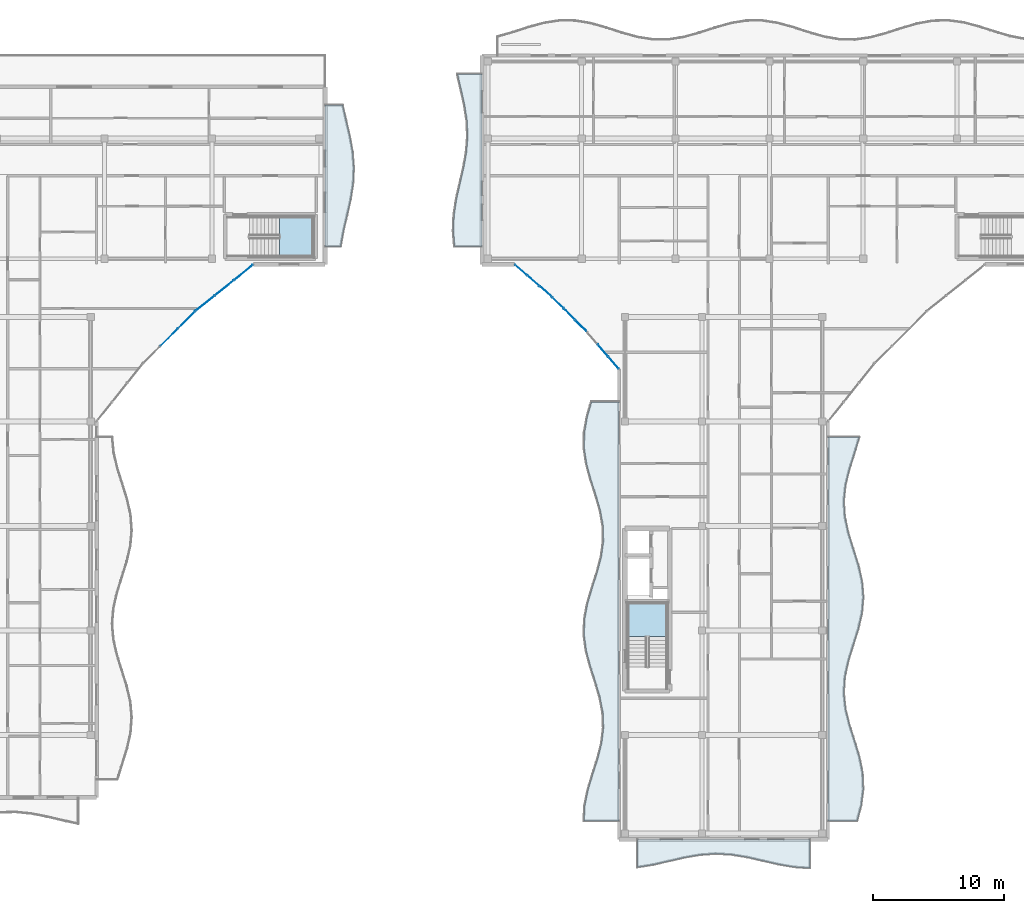
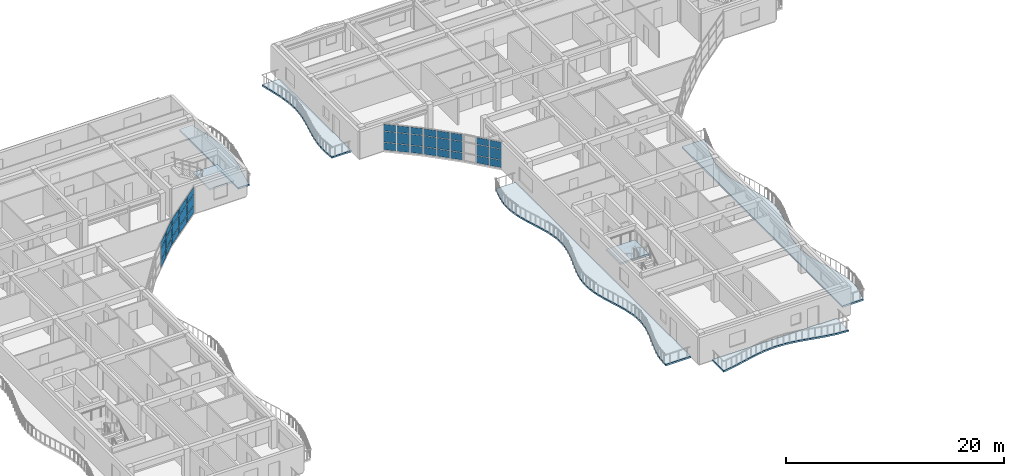
# One storey, part 25 of 68: 39 plates, 7 slabs, 7 elements without a shape of their own.
"""IFC4 building model written with IfcOpenShell, lengths in metres."""

from ifc_helpers import new_model, si_unit, direction, frame, origin, origin_2d, place, context, subcontext, project, spatial, polyline, rectangle, outline, extrude, material, layer, layer_set, type_object, element, aggregate, save


model = new_model("IFC4")

# Units and contexts
model_context = context("Model", 3, precision=1e-05, world=origin(), true_north=direction((0.0, 1.0)))
body_context = subcontext(model_context, "Body", "Model", "MODEL_VIEW")
ifc_project = project(units=[si_unit("LENGTHUNIT", "METRE"), si_unit("AREAUNIT", "SQUARE_METRE"), si_unit("VOLUMEUNIT", "CUBIC_METRE"), si_unit("PLANEANGLEUNIT", "RADIAN"), si_unit("MASSUNIT", "GRAM", prefix="KILO")], contexts=[model_context])

# Site, building, storey
site_placement = place(None, origin())
site = spatial("IfcSite", under=ifc_project, at=site_placement, CompositionType="ELEMENT")
building_placement = place(site_placement, origin())
building = spatial("IfcBuilding", under=site, at=building_placement, Name="Keldmere Railside Commons", CompositionType="ELEMENT")
storey_placement = place(building_placement, frame((0.0, 0.0, 23.360107421875)))
storey = spatial("IfcBuildingStorey", under=building, at=storey_placement, Name="L07", CompositionType="ELEMENT", Elevation=23.360107421875)

# Stair, slab
ifc_material_1 = material(Name="Concrete H-30 (C30/37)", Category="concrete")
stair_type_1 = type_object("IfcStairType", Name="Residential Core Dogleg Stair 1450", PredefinedType="HALF_TURN_STAIR", material=ifc_material_1)
stair_1_placement = place(storey_placement, origin())
stair_1 = element("IfcStair", 1, at=stair_1_placement, inside=storey, type_object=stair_type_1, Name="L07 Block C Secondary Escape Stair 2", PredefinedType="HALF_TURN_STAIR")
ifc_layer_1 = layer(ifc_material_1, 0.199951171875, Name="Enclosed Stair Landing Slab 200")
ifc_layer_set_1 = layer_set([ifc_layer_1], Name="Concrete H-30 (C30/37)")
slab_type_1 = type_object("IfcSlabType", Name="Enclosed Stair Landing Slab 200", PredefinedType="LANDING", material=ifc_layer_set_1)
slab_1_placement = place(storey_placement, frame((0.0, 0.0, 1.39990234375)))
slab_1 = element("IfcSlab", 2, at=slab_1_placement, type_object=slab_type_1, Name="ST-C2 landing 1", PredefinedType="LANDING", context=body_context, shape_type="SweptSolid", body=[
    extrude(outline(polyline([(78.02001953125, 100.60009765625), (80.60009765625, 100.60009765625), (80.60009765625, 103.64990234375), (78.02001953125, 103.64990234375), (78.02001953125, 100.60009765625)])), origin(), (0.0, 0.0, 1.0), 0.199951171875),
])
aggregate(stair_1, [slab_1])

stair_type_2 = type_object("IfcStairType", Name="Basement Garage Dogleg Escape Stair 1450", PredefinedType="HALF_TURN_STAIR", material=ifc_material_1)
stair_2_placement = place(storey_placement, origin())
stair_2 = element("IfcStair", 3, at=stair_2_placement, inside=storey, type_object=stair_type_2, Name="L07 Block B Primary Escape Stair 1", PredefinedType="HALF_TURN_STAIR")
slab_2_placement = place(storey_placement, frame((0.0, 0.0, 1.39990234375)))
slab_2 = element("IfcSlab", 4, at=slab_2_placement, type_object=slab_type_1, Name="ST-B1 landing 1", PredefinedType="LANDING", context=body_context, shape_type="SweptSolid", body=[
    extrude(outline(polyline([(107.699951171875, 71.52001953125), (107.699951171875, 74.10009765625), (104.64990234375, 74.10009765625), (104.64990234375, 71.52001953125), (107.699951171875, 71.52001953125)])), origin(), (0.0, 0.0, 1.0), 0.199951171875),
])
aggregate(stair_2, [slab_2])

# Curtain wall, plates
ifc_material_2 = material(Name="Thermally Broken Aluminium", Category="aluminium")
ifc_layer_2 = layer(ifc_material_2, 0.159912109375, Name="Court Chord Wintergarden CW 5400x2850")
ifc_layer_set_2 = layer_set([ifc_layer_2], Name="Thermally Broken Aluminium")
curtain_wall_type_1 = type_object("IfcCurtainWallType", Name="Court Chord Wintergarden CW 5400x2850", PredefinedType="NOTDEFINED", material=ifc_layer_set_2)
curtain_wall_1_placement = place(storey_placement, origin())
curtain_wall_1 = element("IfcCurtainWall", 5, at=curtain_wall_1_placement, inside=storey, type_object=curtain_wall_type_1, Name="CW-13 CW-L07-068", PredefinedType="NOTDEFINED")
ifc_material_3 = material(Name="Insulated Aluminium Spandrel Panel", Category="aluminium")
ifc_layer_3 = layer(ifc_material_3, 0.0439453125, Name="Insulated Ocher Spandrel Panel 44")
ifc_layer_set_3 = layer_set([ifc_layer_3], Name="Insulated Aluminium Spandrel Panel")
plate_type_1 = type_object("IfcPlateType", Name="Insulated Ocher Spandrel Panel 44", PredefinedType="CURTAIN_PANEL", material=ifc_layer_set_3)
plate_1_placement = place(storey_placement, frame((70.88916015625, 95.76513671875, 0.06494140625), z_axis=(0.0, 0.0, 1.0), x_axis=(-0.707106781187, -0.707106781187, 0.0)))
plate_1 = element("IfcPlate", 6, at=plate_1_placement, type_object=plate_type_1, Name="CW-13 panel 1.1", PredefinedType="CURTAIN_PANEL", context=body_context, shape_type="SweptSolid", body=[
    extrude(rectangle(XDim=1.795654296875, YDim=0.0439453125, at=origin_2d()), origin(), (0.0, 0.0, 1.0), 0.802490234375),
])
plate_2_placement = place(storey_placement, frame((70.88916015625, 95.76513671875, 0.932373046875), z_axis=(0.0, 0.0, 1.0), x_axis=(-0.707106781187, -0.707106781187, 0.0)))
plate_2 = element("IfcPlate", 7, at=plate_2_placement, type_object=plate_type_1, Name="CW-13 panel 1.2", PredefinedType="CURTAIN_PANEL", context=body_context, shape_type="SweptSolid", body=[
    extrude(rectangle(XDim=1.795654296875, YDim=0.0439453125, at=origin_2d()), origin(), (0.0, 0.0, 1.0), 1.18505859375),
])
plate_3_placement = place(storey_placement, frame((70.88916015625, 95.76513671875, 2.182373046875), z_axis=(0.0, 0.0, 1.0), x_axis=(-0.707106781187, -0.707106781187, 0.0)))
plate_3 = element("IfcPlate", 8, at=plate_3_placement, type_object=plate_type_1, Name="CW-13 panel 1.3", PredefinedType="CURTAIN_PANEL", context=body_context, shape_type="SweptSolid", body=[
    extrude(rectangle(XDim=1.795654296875, YDim=0.0439453125, at=origin_2d()), origin(), (0.0, 0.0, 1.0), 0.732421875),
])
plate_4_placement = place(storey_placement, frame((69.56201171875, 94.43798828125, 0.06494140625), z_axis=(0.0, 0.0, 1.0), x_axis=(-0.707106781187, -0.707106781187, 0.0)))
plate_4 = element("IfcPlate", 9, at=plate_4_placement, type_object=plate_type_1, Name="CW-13 panel 2.1", PredefinedType="CURTAIN_PANEL", context=body_context, shape_type="SweptSolid", body=[
    extrude(rectangle(XDim=1.828125, YDim=0.0439453125, at=origin_2d()), origin(), (0.0, 0.0, 1.0), 0.802490234375),
])
plate_5_placement = place(storey_placement, frame((69.56201171875, 94.43798828125, 0.932373046875), z_axis=(0.0, 0.0, 1.0), x_axis=(-0.707106781187, -0.707106781187, 0.0)))
plate_5 = element("IfcPlate", 10, at=plate_5_placement, type_object=plate_type_1, Name="CW-13 panel 2.2", PredefinedType="CURTAIN_PANEL", context=body_context, shape_type="SweptSolid", body=[
    extrude(rectangle(XDim=1.828125, YDim=0.0439453125, at=origin_2d()), origin(), (0.0, 0.0, 1.0), 1.18505859375),
])
plate_6_placement = place(storey_placement, frame((69.56201171875, 94.43798828125, 2.182373046875), z_axis=(0.0, 0.0, 1.0), x_axis=(-0.707106781187, -0.707106781187, 0.0)))
plate_6 = element("IfcPlate", 11, at=plate_6_placement, type_object=plate_type_1, Name="CW-13 panel 2.3", PredefinedType="CURTAIN_PANEL", context=body_context, shape_type="SweptSolid", body=[
    extrude(rectangle(XDim=1.828125, YDim=0.0439453125, at=origin_2d()), origin(), (0.0, 0.0, 1.0), 0.732421875),
])
aggregate(curtain_wall_1, [plate_1, plate_2, plate_3, plate_4, plate_5, plate_6])

ifc_layer_4 = layer(ifc_material_2, 0.159912109375, Name="Court Chord Wintergarden CW 4800x2850")
ifc_layer_set_4 = layer_set([ifc_layer_4], Name="Thermally Broken Aluminium")
curtain_wall_type_2 = type_object("IfcCurtainWallType", Name="Court Chord Wintergarden CW 4800x2850", PredefinedType="NOTDEFINED", material=ifc_layer_set_4)
curtain_wall_2_placement = place(storey_placement, origin())
curtain_wall_2 = element("IfcCurtainWall", 12, at=curtain_wall_2_placement, inside=storey, type_object=curtain_wall_type_2, Name="CW-12 CW-L07-130", PredefinedType="NOTDEFINED")
plate_7_placement = place(storey_placement, frame((98.369384765625, 97.952392578125, 0.06494140625), z_axis=(0.0, 0.0, 1.0), x_axis=(-0.756596767584, 0.653881741053, 0.0)))
plate_7 = element("IfcPlate", 13, at=plate_7_placement, type_object=plate_type_1, Name="CW-12 panel 1.1", PredefinedType="CURTAIN_PANEL", context=body_context, shape_type="SweptSolid", body=[
    extrude(rectangle(XDim=1.16162109375, YDim=0.0439453125, at=origin_2d()), origin(), (0.0, 0.0, 1.0), 0.802490234375),
])
plate_8_placement = place(storey_placement, frame((98.369384765625, 97.952392578125, 0.932373046875), z_axis=(0.0, 0.0, 1.0), x_axis=(-0.756596767584, 0.653881741053, 0.0)))
plate_8 = element("IfcPlate", 14, at=plate_8_placement, type_object=plate_type_1, Name="CW-12 panel 1.2", PredefinedType="CURTAIN_PANEL", context=body_context, shape_type="SweptSolid", body=[
    extrude(rectangle(XDim=1.16162109375, YDim=0.0439453125, at=origin_2d()), origin(), (0.0, 0.0, 1.0), 1.18505859375),
])
plate_9_placement = place(storey_placement, frame((98.369384765625, 97.952392578125, 2.182373046875), z_axis=(0.0, 0.0, 1.0), x_axis=(-0.756596767584, 0.653881741053, 0.0)))
plate_9 = element("IfcPlate", 15, at=plate_9_placement, type_object=plate_type_1, Name="CW-12 panel 1.3", PredefinedType="CURTAIN_PANEL", context=body_context, shape_type="SweptSolid", body=[
    extrude(rectangle(XDim=1.16162109375, YDim=0.0439453125, at=origin_2d()), origin(), (0.0, 0.0, 1.0), 0.732421875),
])
plate_10_placement = place(storey_placement, frame((97.428955078125, 98.764892578125, 0.06494140625), z_axis=(0.0, 0.0, 1.0), x_axis=(-0.756596767584, 0.653881741053, 0.0)))
plate_10 = element("IfcPlate", 16, at=plate_10_placement, type_object=plate_type_1, Name="CW-12 panel 2.1", PredefinedType="CURTAIN_PANEL", context=body_context, shape_type="SweptSolid", body=[
    extrude(rectangle(XDim=1.194091796875, YDim=0.0439453125, at=origin_2d()), origin(), (0.0, 0.0, 1.0), 0.802490234375),
])
plate_11_placement = place(storey_placement, frame((97.428955078125, 98.764892578125, 0.932373046875), z_axis=(0.0, 0.0, 1.0), x_axis=(-0.756596767584, 0.653881741053, 0.0)))
plate_11 = element("IfcPlate", 17, at=plate_11_placement, type_object=plate_type_1, Name="CW-12 panel 2.2", PredefinedType="CURTAIN_PANEL", context=body_context, shape_type="SweptSolid", body=[
    extrude(rectangle(XDim=1.194091796875, YDim=0.0439453125, at=origin_2d()), origin(), (0.0, 0.0, 1.0), 1.18505859375),
])
plate_12_placement = place(storey_placement, frame((97.428955078125, 98.764892578125, 2.182373046875), z_axis=(0.0, 0.0, 1.0), x_axis=(-0.756596767584, 0.653881741053, 0.0)))
plate_12 = element("IfcPlate", 18, at=plate_12_placement, type_object=plate_type_1, Name="CW-12 panel 2.3", PredefinedType="CURTAIN_PANEL", context=body_context, shape_type="SweptSolid", body=[
    extrude(rectangle(XDim=1.194091796875, YDim=0.0439453125, at=origin_2d()), origin(), (0.0, 0.0, 1.0), 0.732421875),
])
plate_13_placement = place(storey_placement, frame((96.488525390625, 99.57763671875, 0.06494140625), z_axis=(0.0, 0.0, 1.0), x_axis=(-0.756596767584, 0.653881741053, 0.0)))
plate_13 = element("IfcPlate", 19, at=plate_13_placement, type_object=plate_type_1, Name="CW-12 panel 3.1", PredefinedType="CURTAIN_PANEL", context=body_context, shape_type="SweptSolid", body=[
    extrude(rectangle(XDim=1.16162109375, YDim=0.0439453125, at=origin_2d()), origin(), (0.0, 0.0, 1.0), 0.802490234375),
])
plate_14_placement = place(storey_placement, frame((96.488525390625, 99.57763671875, 0.932373046875), z_axis=(0.0, 0.0, 1.0), x_axis=(-0.756596767584, 0.653881741053, 0.0)))
plate_14 = element("IfcPlate", 20, at=plate_14_placement, type_object=plate_type_1, Name="CW-12 panel 3.2", PredefinedType="CURTAIN_PANEL", context=body_context, shape_type="SweptSolid", body=[
    extrude(rectangle(XDim=1.16162109375, YDim=0.0439453125, at=origin_2d()), origin(), (0.0, 0.0, 1.0), 1.18505859375),
])
plate_15_placement = place(storey_placement, frame((96.488525390625, 99.57763671875, 2.182373046875), z_axis=(0.0, 0.0, 1.0), x_axis=(-0.756596767584, 0.653881741053, 0.0)))
plate_15 = element("IfcPlate", 21, at=plate_15_placement, type_object=plate_type_1, Name="CW-12 panel 3.3", PredefinedType="CURTAIN_PANEL", context=body_context, shape_type="SweptSolid", body=[
    extrude(rectangle(XDim=1.16162109375, YDim=0.0439453125, at=origin_2d()), origin(), (0.0, 0.0, 1.0), 0.732421875),
])
aggregate(curtain_wall_2, [plate_7, plate_8, plate_9, plate_10, plate_11, plate_12, plate_13, plate_14, plate_15])

curtain_wall_3_placement = place(storey_placement, origin())
curtain_wall_3 = element("IfcCurtainWall", 22, at=curtain_wall_3_placement, inside=storey, type_object=curtain_wall_type_2, Name="CW-12 CW-L07-132", PredefinedType="NOTDEFINED")
plate_16_placement = place(storey_placement, frame((103.57763671875, 92.488525390625, 0.06494140625), z_axis=(0.0, 0.0, 1.0), x_axis=(-0.653881741053, 0.756596767584, 0.0)))
plate_16 = element("IfcPlate", 23, at=plate_16_placement, type_object=plate_type_1, Name="CW-12 panel 1.1", PredefinedType="CURTAIN_PANEL", context=body_context, shape_type="SweptSolid", body=[
    extrude(rectangle(XDim=1.16162109375, YDim=0.0439453125, at=origin_2d()), origin(), (0.0, 0.0, 1.0), 0.802490234375),
])
plate_17_placement = place(storey_placement, frame((103.57763671875, 92.488525390625, 0.932373046875), z_axis=(0.0, 0.0, 1.0), x_axis=(-0.653881741053, 0.756596767584, 0.0)))
plate_17 = element("IfcPlate", 24, at=plate_17_placement, type_object=plate_type_1, Name="CW-12 panel 1.2", PredefinedType="CURTAIN_PANEL", context=body_context, shape_type="SweptSolid", body=[
    extrude(rectangle(XDim=1.16162109375, YDim=0.0439453125, at=origin_2d()), origin(), (0.0, 0.0, 1.0), 1.18505859375),
])
plate_18_placement = place(storey_placement, frame((103.57763671875, 92.488525390625, 2.182373046875), z_axis=(0.0, 0.0, 1.0), x_axis=(-0.653881741053, 0.756596767584, 0.0)))
plate_18 = element("IfcPlate", 25, at=plate_18_placement, type_object=plate_type_1, Name="CW-12 panel 1.3", PredefinedType="CURTAIN_PANEL", context=body_context, shape_type="SweptSolid", body=[
    extrude(rectangle(XDim=1.16162109375, YDim=0.0439453125, at=origin_2d()), origin(), (0.0, 0.0, 1.0), 0.732421875),
])
plate_19_placement = place(storey_placement, frame((102.764892578125, 93.428955078125, 0.06494140625), z_axis=(0.0, 0.0, 1.0), x_axis=(-0.653881741053, 0.756596767584, 0.0)))
plate_19 = element("IfcPlate", 26, at=plate_19_placement, type_object=plate_type_1, Name="CW-12 panel 2.1", PredefinedType="CURTAIN_PANEL", context=body_context, shape_type="SweptSolid", body=[
    extrude(rectangle(XDim=1.194091796875, YDim=0.0439453125, at=origin_2d()), origin(), (0.0, 0.0, 1.0), 0.802490234375),
])
plate_20_placement = place(storey_placement, frame((102.764892578125, 93.428955078125, 0.932373046875), z_axis=(0.0, 0.0, 1.0), x_axis=(-0.653881741053, 0.756596767584, 0.0)))
plate_20 = element("IfcPlate", 27, at=plate_20_placement, type_object=plate_type_1, Name="CW-12 panel 2.2", PredefinedType="CURTAIN_PANEL", context=body_context, shape_type="SweptSolid", body=[
    extrude(rectangle(XDim=1.194091796875, YDim=0.0439453125, at=origin_2d()), origin(), (0.0, 0.0, 1.0), 1.18505859375),
])
plate_21_placement = place(storey_placement, frame((102.764892578125, 93.428955078125, 2.182373046875), z_axis=(0.0, 0.0, 1.0), x_axis=(-0.653881741053, 0.756596767584, 0.0)))
plate_21 = element("IfcPlate", 28, at=plate_21_placement, type_object=plate_type_1, Name="CW-12 panel 2.3", PredefinedType="CURTAIN_PANEL", context=body_context, shape_type="SweptSolid", body=[
    extrude(rectangle(XDim=1.194091796875, YDim=0.0439453125, at=origin_2d()), origin(), (0.0, 0.0, 1.0), 0.732421875),
])
aggregate(curtain_wall_3, [plate_16, plate_17, plate_18, plate_19, plate_20, plate_21])

curtain_wall_4_placement = place(storey_placement, origin())
curtain_wall_4 = element("IfcCurtainWall", 29, at=curtain_wall_4_placement, inside=storey, type_object=curtain_wall_type_2, Name="CW-12 CW-L07-069", PredefinedType="NOTDEFINED")
ifc_layer_5 = layer(ifc_material_3, 0.050048828125, Name="Insulated Terracotta Spandrel Panel 50")
ifc_layer_set_5 = layer_set([ifc_layer_5], Name="Insulated Aluminium Spandrel Panel")
plate_type_2 = type_object("IfcPlateType", Name="Insulated Terracotta Spandrel Panel 50", PredefinedType="CURTAIN_PANEL", material=ifc_layer_set_5)
plate_22_placement = place(storey_placement, frame((75.2490234375, 99.3974609375, 0.06494140625), z_axis=(0.0, 0.0, 1.0), x_axis=(-0.780009172323, -0.625768080915, 0.0)))
plate_22 = element("IfcPlate", 30, at=plate_22_placement, type_object=plate_type_2, Name="CW-12 panel 1.1", PredefinedType="CURTAIN_PANEL", context=body_context, shape_type="SweptSolid", body=[
    extrude(rectangle(XDim=1.795654296875, YDim=0.050048828125, at=origin_2d()), origin(), (0.0, 0.0, 1.0), 0.802490234375),
])
plate_23_placement = place(storey_placement, frame((75.2490234375, 99.3974609375, 0.932373046875), z_axis=(0.0, 0.0, 1.0), x_axis=(-0.780009172323, -0.625768080915, 0.0)))
plate_23 = element("IfcPlate", 31, at=plate_23_placement, type_object=plate_type_2, Name="CW-12 panel 1.2", PredefinedType="CURTAIN_PANEL", context=body_context, shape_type="SweptSolid", body=[
    extrude(rectangle(XDim=1.795654296875, YDim=0.050048828125, at=origin_2d()), origin(), (0.0, 0.0, 1.0), 1.18505859375),
])
plate_24_placement = place(storey_placement, frame((75.2490234375, 99.3974609375, 2.182373046875), z_axis=(0.0, 0.0, 1.0), x_axis=(-0.780009172323, -0.625768080915, 0.0)))
plate_24 = element("IfcPlate", 32, at=plate_24_placement, type_object=plate_type_2, Name="CW-12 panel 1.3", PredefinedType="CURTAIN_PANEL", context=body_context, shape_type="SweptSolid", body=[
    extrude(rectangle(XDim=1.795654296875, YDim=0.050048828125, at=origin_2d()), origin(), (0.0, 0.0, 1.0), 0.732421875),
])
plate_25_placement = place(storey_placement, frame((73.784912109375, 98.222900390625, 0.06494140625), z_axis=(0.0, 0.0, 1.0), x_axis=(-0.780009172323, -0.625768080915, 0.0)))
plate_25 = element("IfcPlate", 33, at=plate_25_placement, type_object=plate_type_2, Name="CW-12 panel 2.1", PredefinedType="CURTAIN_PANEL", context=body_context, shape_type="SweptSolid", body=[
    extrude(rectangle(XDim=1.828125, YDim=0.050048828125, at=origin_2d()), origin(), (0.0, 0.0, 1.0), 0.802490234375),
])
plate_26_placement = place(storey_placement, frame((73.784912109375, 98.222900390625, 0.932373046875), z_axis=(0.0, 0.0, 1.0), x_axis=(-0.780009172323, -0.625768080915, 0.0)))
plate_26 = element("IfcPlate", 34, at=plate_26_placement, type_object=plate_type_2, Name="CW-12 panel 2.2", PredefinedType="CURTAIN_PANEL", context=body_context, shape_type="SweptSolid", body=[
    extrude(rectangle(XDim=1.828125, YDim=0.050048828125, at=origin_2d()), origin(), (0.0, 0.0, 1.0), 1.18505859375),
])
plate_27_placement = place(storey_placement, frame((73.784912109375, 98.222900390625, 2.182373046875), z_axis=(0.0, 0.0, 1.0), x_axis=(-0.780009172323, -0.625768080915, 0.0)))
plate_27 = element("IfcPlate", 35, at=plate_27_placement, type_object=plate_type_2, Name="CW-12 panel 2.3", PredefinedType="CURTAIN_PANEL", context=body_context, shape_type="SweptSolid", body=[
    extrude(rectangle(XDim=1.828125, YDim=0.050048828125, at=origin_2d()), origin(), (0.0, 0.0, 1.0), 0.732421875),
])
plate_28_placement = place(storey_placement, frame((72.321044921875, 97.048583984375, 0.06494140625), z_axis=(0.0, 0.0, 1.0), x_axis=(-0.780009172323, -0.625768080915, 0.0)))
plate_28 = element("IfcPlate", 36, at=plate_28_placement, type_object=plate_type_2, Name="CW-12 panel 3.1", PredefinedType="CURTAIN_PANEL", context=body_context, shape_type="SweptSolid", body=[
    extrude(rectangle(XDim=1.795654296875, YDim=0.050048828125, at=origin_2d()), origin(), (0.0, 0.0, 1.0), 0.802490234375),
])
plate_29_placement = place(storey_placement, frame((72.321044921875, 97.048583984375, 0.932373046875), z_axis=(0.0, 0.0, 1.0), x_axis=(-0.780009172323, -0.625768080915, 0.0)))
plate_29 = element("IfcPlate", 37, at=plate_29_placement, type_object=plate_type_2, Name="CW-12 panel 3.2", PredefinedType="CURTAIN_PANEL", context=body_context, shape_type="SweptSolid", body=[
    extrude(rectangle(XDim=1.795654296875, YDim=0.050048828125, at=origin_2d()), origin(), (0.0, 0.0, 1.0), 1.18505859375),
])
plate_30_placement = place(storey_placement, frame((72.321044921875, 97.048583984375, 2.182373046875), z_axis=(0.0, 0.0, 1.0), x_axis=(-0.780009172323, -0.625768080915, 0.0)))
plate_30 = element("IfcPlate", 38, at=plate_30_placement, type_object=plate_type_2, Name="CW-12 panel 3.3", PredefinedType="CURTAIN_PANEL", context=body_context, shape_type="SweptSolid", body=[
    extrude(rectangle(XDim=1.795654296875, YDim=0.050048828125, at=origin_2d()), origin(), (0.0, 0.0, 1.0), 0.732421875),
])
aggregate(curtain_wall_4, [plate_22, plate_23, plate_24, plate_25, plate_26, plate_27, plate_28, plate_29, plate_30])

curtain_wall_5_placement = place(storey_placement, origin())
curtain_wall_5 = element("IfcCurtainWall", 39, at=curtain_wall_5_placement, inside=storey, type_object=curtain_wall_type_1, Name="CW-13 CW-L07-131", PredefinedType="NOTDEFINED")
plate_31_placement = place(storey_placement, frame((101.0732421875, 95.31494140625, 0.06494140625), z_axis=(0.0, 0.0, 1.0), x_axis=(-0.707106781187, 0.707106781187, 0.0)))
plate_31 = element("IfcPlate", 40, at=plate_31_placement, type_object=plate_type_2, Name="CW-13 panel 1.1", PredefinedType="CURTAIN_PANEL", context=body_context, shape_type="SweptSolid", body=[
    extrude(rectangle(XDim=1.162109375, YDim=0.050048828125, at=origin_2d()), origin(), (0.0, 0.0, 1.0), 0.802490234375),
])
plate_32_placement = place(storey_placement, frame((101.0732421875, 95.31494140625, 0.932373046875), z_axis=(0.0, 0.0, 1.0), x_axis=(-0.707106781187, 0.707106781187, 0.0)))
plate_32 = element("IfcPlate", 41, at=plate_32_placement, type_object=plate_type_2, Name="CW-13 panel 1.2", PredefinedType="CURTAIN_PANEL", context=body_context, shape_type="SweptSolid", body=[
    extrude(rectangle(XDim=1.162109375, YDim=0.050048828125, at=origin_2d()), origin(), (0.0, 0.0, 1.0), 1.18505859375),
])
plate_33_placement = place(storey_placement, frame((101.0732421875, 95.31494140625, 2.182373046875), z_axis=(0.0, 0.0, 1.0), x_axis=(-0.707106781187, 0.707106781187, 0.0)))
plate_33 = element("IfcPlate", 42, at=plate_33_placement, type_object=plate_type_2, Name="CW-13 panel 1.3", PredefinedType="CURTAIN_PANEL", context=body_context, shape_type="SweptSolid", body=[
    extrude(rectangle(XDim=1.162109375, YDim=0.050048828125, at=origin_2d()), origin(), (0.0, 0.0, 1.0), 0.732421875),
])
plate_34_placement = place(storey_placement, frame((100.194091796875, 96.194091796875, 0.06494140625), z_axis=(0.0, 0.0, 1.0), x_axis=(-0.707106781187, 0.707106781187, 0.0)))
plate_34 = element("IfcPlate", 43, at=plate_34_placement, type_object=plate_type_2, Name="CW-13 panel 2.1", PredefinedType="CURTAIN_PANEL", context=body_context, shape_type="SweptSolid", body=[
    extrude(rectangle(XDim=1.194580078125, YDim=0.050048828125, at=origin_2d()), origin(), (0.0, 0.0, 1.0), 0.802490234375),
])
plate_35_placement = place(storey_placement, frame((100.194091796875, 96.194091796875, 0.932373046875), z_axis=(0.0, 0.0, 1.0), x_axis=(-0.707106781187, 0.707106781187, 0.0)))
plate_35 = element("IfcPlate", 44, at=plate_35_placement, type_object=plate_type_2, Name="CW-13 panel 2.2", PredefinedType="CURTAIN_PANEL", context=body_context, shape_type="SweptSolid", body=[
    extrude(rectangle(XDim=1.194580078125, YDim=0.050048828125, at=origin_2d()), origin(), (0.0, 0.0, 1.0), 1.18505859375),
])
plate_36_placement = place(storey_placement, frame((100.194091796875, 96.194091796875, 2.182373046875), z_axis=(0.0, 0.0, 1.0), x_axis=(-0.707106781187, 0.707106781187, 0.0)))
plate_36 = element("IfcPlate", 45, at=plate_36_placement, type_object=plate_type_2, Name="CW-13 panel 2.3", PredefinedType="CURTAIN_PANEL", context=body_context, shape_type="SweptSolid", body=[
    extrude(rectangle(XDim=1.194580078125, YDim=0.050048828125, at=origin_2d()), origin(), (0.0, 0.0, 1.0), 0.732421875),
])
plate_37_placement = place(storey_placement, frame((99.31494140625, 97.0732421875, 0.06494140625), z_axis=(0.0, 0.0, 1.0), x_axis=(-0.707106781187, 0.707106781187, 0.0)))
plate_37 = element("IfcPlate", 46, at=plate_37_placement, type_object=plate_type_2, Name="CW-13 panel 3.1", PredefinedType="CURTAIN_PANEL", context=body_context, shape_type="SweptSolid", body=[
    extrude(rectangle(XDim=1.162109375, YDim=0.050048828125, at=origin_2d()), origin(), (0.0, 0.0, 1.0), 0.802490234375),
])
plate_38_placement = place(storey_placement, frame((99.31494140625, 97.0732421875, 0.932373046875), z_axis=(0.0, 0.0, 1.0), x_axis=(-0.707106781187, 0.707106781187, 0.0)))
plate_38 = element("IfcPlate", 47, at=plate_38_placement, type_object=plate_type_2, Name="CW-13 panel 3.2", PredefinedType="CURTAIN_PANEL", context=body_context, shape_type="SweptSolid", body=[
    extrude(rectangle(XDim=1.162109375, YDim=0.050048828125, at=origin_2d()), origin(), (0.0, 0.0, 1.0), 1.18505859375),
])
plate_39_placement = place(storey_placement, frame((99.31494140625, 97.0732421875, 2.182373046875), z_axis=(0.0, 0.0, 1.0), x_axis=(-0.707106781187, 0.707106781187, 0.0)))
plate_39 = element("IfcPlate", 48, at=plate_39_placement, type_object=plate_type_2, Name="CW-13 panel 3.3", PredefinedType="CURTAIN_PANEL", context=body_context, shape_type="SweptSolid", body=[
    extrude(rectangle(XDim=1.162109375, YDim=0.050048828125, at=origin_2d()), origin(), (0.0, 0.0, 1.0), 0.732421875),
])
aggregate(curtain_wall_5, [plate_31, plate_32, plate_33, plate_34, plate_35, plate_36, plate_37, plate_38, plate_39])

# Slabs
ifc_material_4 = material(Name="White Precast Concrete H-35 (C35/45)", Category="concrete")
ifc_layer_6 = layer(ifc_material_4, 0.179931640625, Name="Sinusoidal Wave Balcony Slab 180")
ifc_layer_set_6 = layer_set([ifc_layer_6], Name="White Precast Concrete H-35 (C35/45)")
slab_type_2 = type_object("IfcSlabType", Name="Sinusoidal Wave Balcony Slab 180", PredefinedType="FLOOR", material=ifc_layer_set_6)
slab_3_placement = place(storey_placement, frame((0.0, 0.0, -0.18017578125)))
element("IfcSlab", 49, at=slab_3_placement, inside=storey, type_object=slab_type_2, Name="WB-1 C L07 WE Wave Balcony", PredefinedType="FLOOR", context=body_context, shape_type="SweptSolid", body=[
    extrude(outline(polyline([(82.6923828125, 101.39990234375), (82.906005859375, 102.60009765625), (83.185302734375, 103.800048828125), (83.454833984375, 105.0), (83.642822265625, 106.199951171875), (83.698974609375, 107.39990234375), (83.607666015625, 108.60009765625), (83.39404296875, 109.800048828125), (83.11474609375, 111.0), (82.84521484375, 112.199951171875), (81.5, 112.199951171875), (81.5, 111.0), (81.5, 109.800048828125), (81.5, 108.60009765625), (81.5, 107.39990234375), (81.5, 106.199951171875), (81.5, 105.0), (81.5, 103.800048828125), (81.5, 102.60009765625), (81.5, 101.39990234375), (82.6923828125, 101.39990234375)])), origin(), (0.0, 0.0, 1.0), 0.18017578125),
])
slab_4_placement = place(storey_placement, frame((0.0, 0.0, -0.18017578125)))
element("IfcSlab", 50, at=slab_4_placement, inside=storey, type_object=slab_type_2, Name="WB-1 B L07 CE Wave Balcony", PredefinedType="FLOOR", context=body_context, shape_type="SweptSolid", body=[
    extrude(outline(polyline([(122.218994140625, 57.39990234375), (122.5380859375, 58.625), (122.693115234375, 59.85009765625), (122.640869140625, 61.074951171875), (122.39599609375, 62.300048828125), (122.026611328125, 63.52490234375), (121.6357421875, 64.75), (121.332763671875, 65.97509765625), (121.201904296875, 67.199951171875), (121.279541015625, 68.425048828125), (121.54443359375, 69.64990234375), (121.92236328125, 70.875), (122.30810546875, 72.10009765625), (122.59375, 73.324951171875), (122.699951171875, 74.550048828125), (122.596923828125, 75.77490234375), (122.3134765625, 77.0), (121.928466796875, 78.22509765625), (121.549560546875, 79.449951171875), (121.282470703125, 80.675048828125), (121.201416015625, 81.89990234375), (121.329345703125, 83.125), (121.63037109375, 84.35009765625), (122.0205078125, 85.574951171875), (122.39111328125, 86.800048828125), (120.0, 86.800048828125), (120.0, 85.574951171875), (120.0, 84.35009765625), (120.0, 83.125), (120.0, 81.89990234375), (120.0, 80.675048828125), (120.0, 79.449951171875), (120.0, 78.22509765625), (120.0, 77.0), (120.0, 75.77490234375), (120.0, 74.550048828125), (120.0, 73.324951171875), (120.0, 72.10009765625), (120.0, 70.875), (120.0, 69.64990234375), (120.0, 68.425048828125), (120.0, 67.199951171875), (120.0, 65.97509765625), (120.0, 64.75), (120.0, 63.52490234375), (120.0, 62.300048828125), (120.0, 61.074951171875), (120.0, 59.85009765625), (120.0, 58.625), (120.0, 57.39990234375), (122.218994140625, 57.39990234375)])), origin(), (0.0, 0.0, 1.0), 0.18017578125),
])
slab_5_placement = place(storey_placement, frame((0.0, 0.0, -0.18017578125)))
element("IfcSlab", 51, at=slab_5_placement, inside=storey, type_object=slab_type_2, Name="WB-1 B L07 CW Wave Balcony", PredefinedType="FLOOR", context=body_context, shape_type="SweptSolid", body=[
    extrude(outline(polyline([(104.0, 57.39990234375), (104.0, 58.5888671875), (104.0, 59.77783203125), (104.0, 60.966796875), (104.0, 62.155517578125), (104.0, 63.344482421875), (104.0, 64.533203125), (104.0, 65.72216796875), (104.0, 66.9111328125), (104.0, 68.10009765625), (104.0, 69.288818359375), (104.0, 70.477783203125), (104.0, 71.666748046875), (104.0, 72.855712890625), (104.0, 74.04443359375), (104.0, 75.2333984375), (104.0, 76.422119140625), (104.0, 77.611083984375), (104.0, 78.800048828125), (104.0, 79.989013671875), (104.0, 81.177734375), (104.0, 82.36669921875), (104.0, 83.5556640625), (104.0, 84.744384765625), (104.0, 85.933349609375), (104.0, 87.122314453125), (104.0, 88.31103515625), (104.0, 89.5), (101.87548828125, 89.5), (101.536865234375, 88.31103515625), (101.3330078125, 87.122314453125), (101.318115234375, 85.933349609375), (101.49560546875, 84.744384765625), (101.819091796875, 83.5556640625), (102.203125, 82.36669921875), (102.547119140625, 81.177734375), (102.760009765625, 79.989013671875), (102.786376953125, 78.800048828125), (102.618896484375, 77.611083984375), (102.301513671875, 76.422119140625), (101.918212890625, 75.2333984375), (101.5693359375, 74.04443359375), (101.34716796875, 72.855712890625), (101.309814453125, 71.666748046875), (101.46728515625, 70.477783203125), (101.778076171875, 69.288818359375), (102.160400390625, 68.10009765625), (102.513671875, 66.9111328125), (102.744873046875, 65.72216796875), (102.79345703125, 64.533203125), (102.646240234375, 63.344482421875), (102.34228515625, 62.155517578125), (101.961181640625, 60.966796875), (101.603759765625, 59.77783203125), (101.363525390625, 58.5888671875), (101.30419921875, 57.39990234375), (104.0, 57.39990234375)])), origin(), (0.0, 0.0, 1.0), 0.18017578125),
])
slab_6_placement = place(storey_placement, frame((0.0, 0.0, -0.18017578125)))
element("IfcSlab", 52, at=slab_6_placement, inside=storey, type_object=slab_type_2, Name="WB-1 B L07 WW Wave Balcony", PredefinedType="FLOOR", context=body_context, shape_type="SweptSolid", body=[
    extrude(outline(polyline([(93.5, 101.39990234375), (93.5, 102.60009765625), (93.5, 103.800048828125), (93.5, 105.0), (93.5, 106.199951171875), (93.5, 107.39990234375), (93.5, 108.60009765625), (93.5, 109.800048828125), (93.5, 111.0), (93.5, 112.199951171875), (93.5, 113.39990234375), (93.5, 114.60009765625), (91.614013671875, 114.60009765625), (91.894287109375, 113.39990234375), (92.162353515625, 112.199951171875), (92.346923828125, 111.0), (92.398193359375, 109.800048828125), (92.302734375, 108.60009765625), (92.0859375, 107.39990234375), (91.805908203125, 106.199951171875), (91.53759765625, 105.0), (91.35302734375, 103.800048828125), (91.3017578125, 102.60009765625), (91.397216796875, 101.39990234375), (93.5, 101.39990234375)])), origin(), (0.0, 0.0, 1.0), 0.18017578125),
])
slab_7_placement = place(storey_placement, frame((0.0, 0.0, -0.18017578125)))
element("IfcSlab", 53, at=slab_7_placement, inside=storey, type_object=slab_type_2, Name="WB-1 B L07 S Wave Balcony", PredefinedType="FLOOR", context=body_context, shape_type="SweptSolid", body=[
    extrude(outline(polyline([(105.39990234375, 53.8662109375), (106.60009765625, 54.06201171875), (107.800048828125, 54.334716796875), (109.0, 54.61181640625), (110.199951171875, 54.818603515625), (111.39990234375, 54.89990234375), (112.60009765625, 54.833740234375), (113.800048828125, 54.637939453125), (115.0, 54.365234375), (116.199951171875, 54.088134765625), (117.39990234375, 53.881591796875), (118.60009765625, 53.80029296875), (118.60009765625, 56.0), (117.39990234375, 56.0), (116.199951171875, 56.0), (115.0, 56.0), (113.800048828125, 56.0), (112.60009765625, 56.0), (111.39990234375, 56.0), (110.199951171875, 56.0), (109.0, 56.0), (107.800048828125, 56.0), (106.60009765625, 56.0), (105.39990234375, 56.0), (105.39990234375, 53.8662109375)])), origin(), (0.0, 0.0, 1.0), 0.18017578125),
])

save(model, "model.ifc")
